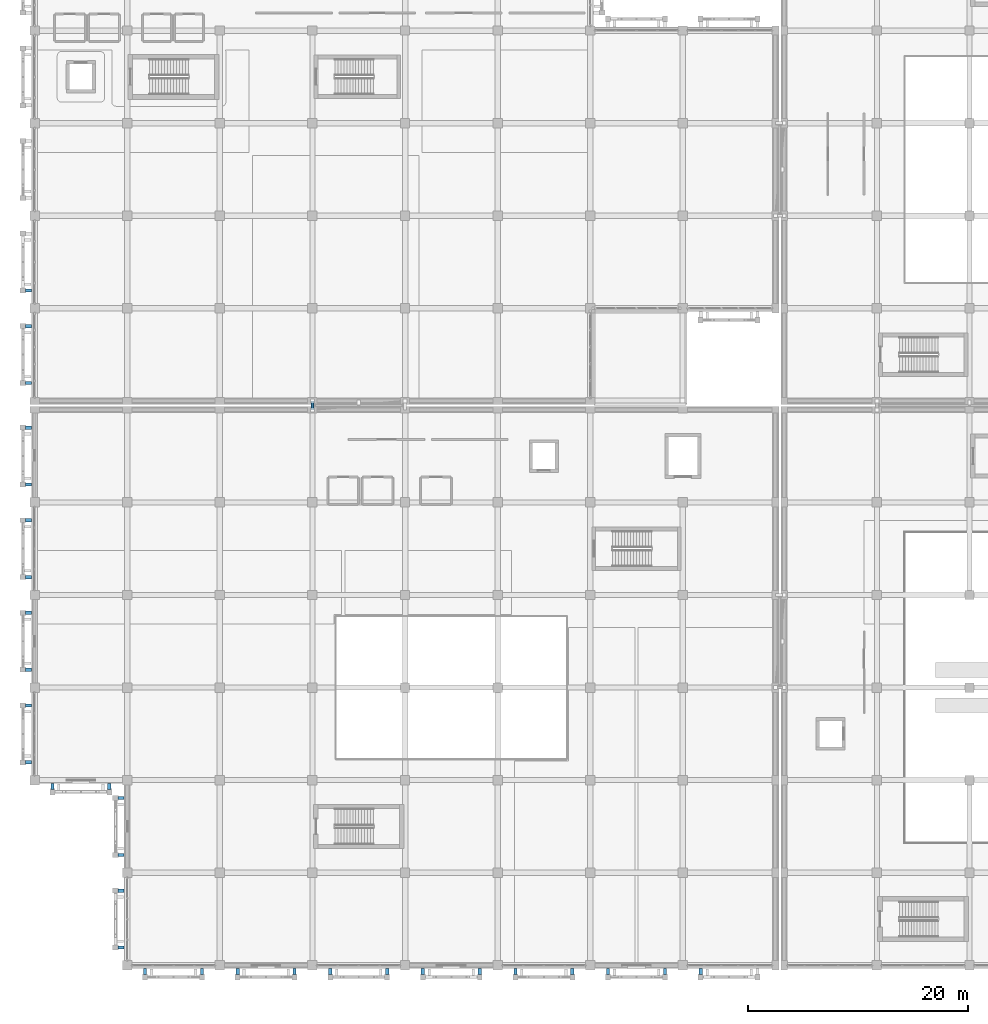
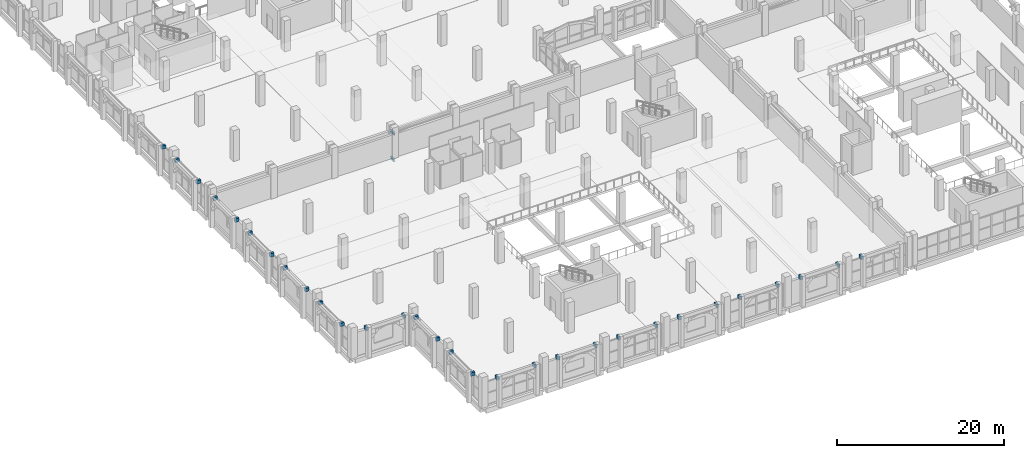
# One storey, part 75 of 137: 32 beams, 1 member.
"""IFC4 building model written with IfcOpenShell, lengths in metres."""

from ifc_helpers import new_model, si_unit, direction, frame, origin, origin_2d, place, context, subcontext, project, spatial, rectangle, hollow_rectangle, i_section, extrude, material, material_profile, profile_set, type_object, element, save


model = new_model("IFC4")

# Units and contexts
model_context = context("Model", 3, precision=1e-05, world=origin(), true_north=direction((0.0, 1.0)))
body_context = subcontext(model_context, "Body", "Model", "MODEL_VIEW")
ifc_project = project(units=[si_unit("LENGTHUNIT", "METRE"), si_unit("AREAUNIT", "SQUARE_METRE"), si_unit("VOLUMEUNIT", "CUBIC_METRE"), si_unit("PLANEANGLEUNIT", "RADIAN"), si_unit("MASSUNIT", "GRAM", prefix="KILO")], contexts=[model_context])

# Site, building, storey
site_placement = place(None, origin())
site = spatial("IfcSite", under=ifc_project, at=site_placement, CompositionType="ELEMENT")
building_placement = place(site_placement, origin())
building = spatial("IfcBuilding", under=site, at=building_placement, Name="Xazarin Passage Department Store", CompositionType="ELEMENT")
storey_placement = place(building_placement, frame((0.0, 0.0, 5.39990234375)))
storey = spatial("IfcBuildingStorey", under=building, at=storey_placement, Name="L01", CompositionType="ELEMENT", Elevation=5.39990234375)

# Beams
ifc_material_1 = material(Name="Steel S355", Category="steel")
ifc_material_profile_1 = material_profile(ifc_material_1, i_section(OverallWidth=0.300048828125, OverallDepth=0.360107421875, WebThickness=0.012451171875, FlangeThickness=0.0224609375, FilletRadius=0.027099609375, at=origin_2d()), Name="HEB 360")
ifc_profile_set_1 = profile_set([ifc_material_profile_1], Name="Steel S355")
beam_type_1 = type_object("IfcBeamType", Name="STR-BM-BR360", PredefinedType="BEAM", material=ifc_profile_set_1)
beam_1_placement = place(storey_placement, frame((25.199951171875, 50.39990234375, -0.52001953125), z_axis=(0.0, 1.0, 0.0), x_axis=(-1.0, 0.0, 0.0)))
element("IfcBeam", 1, at=beam_1_placement, inside=storey, type_object=beam_type_1, Name="L01 BR-V1-V3 Bridge Girder A", PredefinedType="BEAM", context=body_context, shape_type="SweptSolid", body=[
    extrude(i_section(OverallWidth=0.300048828125, OverallDepth=0.360107421875, WebThickness=0.012451171875, FlangeThickness=0.0224609375, FilletRadius=0.027099609375, at=origin_2d()), origin(), (0.0, 0.0, 1.0), 0.800048828125),
])
ifc_material_profile_2 = material_profile(ifc_material_1, i_section(OverallWidth=0.260009765625, OverallDepth=0.25, WebThickness=0.007568359375, FlangeThickness=0.012451171875, FilletRadius=0.02392578125, at=origin_2d()), Name="HEA 260")
ifc_profile_set_2 = profile_set([ifc_material_profile_2], Name="Steel S355")
beam_type_2 = type_object("IfcBeamType", Name="STR-BM-CAN260", PredefinedType="BEAM", material=ifc_profile_set_2)
beam_2_placement = place(storey_placement, frame((25.199951171875, 50.39990234375, 3.47509765625), z_axis=(0.0, 1.0, 0.0), x_axis=(-1.0, 0.0, 0.0)))
element("IfcBeam", 2, at=beam_2_placement, inside=storey, type_object=beam_type_2, Name="L01 BR-V1-V3 Bridge Roof Beam A", PredefinedType="BEAM", context=body_context, shape_type="SweptSolid", body=[
    extrude(i_section(OverallWidth=0.260009765625, OverallDepth=0.25, WebThickness=0.007568359375, FlangeThickness=0.012451171875, FilletRadius=0.02392578125, at=origin_2d()), origin(), (0.0, 0.0, 1.0), 0.800048828125),
])
ifc_material_2 = material(Name="Concrete C35/45", Category="concrete")
ifc_material_profile_3 = material_profile(ifc_material_2, rectangle(XDim=0.300048828125, YDim=0.5, at=origin_2d()), Name="RC 300x500")
ifc_profile_set_3 = profile_set([ifc_material_profile_3], Name="Concrete C35/45")
beam_type_3 = type_object("IfcBeamType", Name="STR-BM-LN300x500", PredefinedType="LINTEL", material=ifc_profile_set_3)
for number, where, z_axis, x_axis, name in (
    (3, (-0.280029296875, 52.820068359375, 3.9501953125), (-1.0, 0.0, 0.0), (0.0, -1.0, 0.0), "L01 V1 Colonnade Tie Rib 008L"),
    (4, (-0.280029296875, 57.97998046875, 3.9501953125), (-1.0, 0.0, 0.0), (0.0, -1.0, 0.0), "L01 V1 Colonnade Tie Rib 008R"),
    (5, (-0.280029296875, 61.219970703125, 3.9501953125), (-1.0, 0.0, 0.0), (0.0, -1.0, 0.0), "L01 V1 Colonnade Tie Rib 009L"),
    (6, (1.6201171875, 16.52001953125, 3.9501953125), (0.0, -1.0, 0.0), (1.0, 0.0, 0.0), "L01 V3 Colonnade Tie Rib 026L"),
    (7, (6.780029296875, 16.52001953125, 3.9501953125), (0.0, -1.0, 0.0), (1.0, 0.0, 0.0), "L01 V3 Colonnade Tie Rib 026R"),
    (8, (10.02001953125, -0.280029296875, 3.9501953125), (0.0, -1.0, 0.0), (1.0, 0.0, 0.0), "L01 V3 Colonnade Tie Rib 027L"),
    (9, (15.179931640625, -0.280029296875, 3.9501953125), (0.0, -1.0, 0.0), (1.0, 0.0, 0.0), "L01 V3 Colonnade Tie Rib 027R"),
    (10, (18.419921875, -0.280029296875, 3.9501953125), (0.0, -1.0, 0.0), (1.0, 0.0, 0.0), "L01 V3 Colonnade Tie Rib 028L"),
    (11, (23.580078125, -0.280029296875, 3.9501953125), (0.0, -1.0, 0.0), (1.0, 0.0, 0.0), "L01 V3 Colonnade Tie Rib 028R"),
    (12, (26.820068359375, -0.280029296875, 3.9501953125), (0.0, -1.0, 0.0), (1.0, 0.0, 0.0), "L01 V3 Colonnade Tie Rib 029L"),
    (13, (31.97998046875, -0.280029296875, 3.9501953125), (0.0, -1.0, 0.0), (1.0, 0.0, 0.0), "L01 V3 Colonnade Tie Rib 029R"),
    (14, (35.219970703125, -0.280029296875, 3.9501953125), (0.0, -1.0, 0.0), (1.0, 0.0, 0.0), "L01 V3 Colonnade Tie Rib 030L"),
    (15, (40.3798828125, -0.280029296875, 3.9501953125), (0.0, -1.0, 0.0), (1.0, 0.0, 0.0), "L01 V3 Colonnade Tie Rib 030R"),
    (16, (43.6201171875, -0.280029296875, 3.9501953125), (0.0, -1.0, 0.0), (1.0, 0.0, 0.0), "L01 V3 Colonnade Tie Rib 031L"),
    (17, (48.780029296875, -0.280029296875, 3.9501953125), (0.0, -1.0, 0.0), (1.0, 0.0, 0.0), "L01 V3 Colonnade Tie Rib 031R"),
    (18, (52.02001953125, -0.280029296875, 3.9501953125), (0.0, -1.0, 0.0), (1.0, 0.0, 0.0), "L01 V3 Colonnade Tie Rib 032L"),
    (19, (57.179931640625, -0.280029296875, 3.9501953125), (0.0, -1.0, 0.0), (1.0, 0.0, 0.0), "L01 V3 Colonnade Tie Rib 032R"),
    (20, (60.419921875, -0.280029296875, 3.9501953125), (0.0, -1.0, 0.0), (1.0, 0.0, 0.0), "L01 V3 Colonnade Tie Rib 033L"),
    (21, (-0.280029296875, 18.419921875, 3.9501953125), (-1.0, 0.0, 0.0), (0.0, -1.0, 0.0), "L01 V3 Colonnade Tie Rib 034L"),
    (22, (-0.280029296875, 23.580078125, 3.9501953125), (-1.0, 0.0, 0.0), (0.0, -1.0, 0.0), "L01 V3 Colonnade Tie Rib 034R"),
    (23, (-0.280029296875, 26.820068359375, 3.9501953125), (-1.0, 0.0, 0.0), (0.0, -1.0, 0.0), "L01 V3 Colonnade Tie Rib 035L"),
    (24, (-0.280029296875, 31.97998046875, 3.9501953125), (-1.0, 0.0, 0.0), (0.0, -1.0, 0.0), "L01 V3 Colonnade Tie Rib 035R"),
    (25, (-0.280029296875, 35.219970703125, 3.9501953125), (-1.0, 0.0, 0.0), (0.0, -1.0, 0.0), "L01 V3 Colonnade Tie Rib 036L"),
    (26, (-0.280029296875, 40.3798828125, 3.9501953125), (-1.0, 0.0, 0.0), (0.0, -1.0, 0.0), "L01 V3 Colonnade Tie Rib 036R"),
    (27, (-0.280029296875, 43.6201171875, 3.9501953125), (-1.0, 0.0, 0.0), (0.0, -1.0, 0.0), "L01 V3 Colonnade Tie Rib 037L"),
    (28, (-0.280029296875, 48.780029296875, 3.9501953125), (-1.0, 0.0, 0.0), (0.0, -1.0, 0.0), "L01 V3 Colonnade Tie Rib 037R"),
    (29, (8.1201171875, 1.6201171875, 3.9501953125), (-1.0, 0.0, 0.0), (0.0, -1.0, 0.0), "L01 V3 Colonnade Tie Rib 038L"),
    (30, (8.1201171875, 6.780029296875, 3.9501953125), (-1.0, 0.0, 0.0), (0.0, -1.0, 0.0), "L01 V3 Colonnade Tie Rib 038R"),
    (31, (8.1201171875, 10.02001953125, 3.9501953125), (-1.0, 0.0, 0.0), (0.0, -1.0, 0.0), "L01 V3 Colonnade Tie Rib 039L"),
    (32, (8.1201171875, 15.179931640625, 3.9501953125), (-1.0, 0.0, 0.0), (0.0, -1.0, 0.0), "L01 V3 Colonnade Tie Rib 039R"),
):
    element("IfcBeam", number, at=place(storey_placement, frame(where, z_axis=z_axis, x_axis=x_axis)), inside=storey, type_object=beam_type_3, Name=name, PredefinedType="LINTEL", context=body_context, shape_type="SweptSolid", body=[
        extrude(rectangle(XDim=0.300048828125, YDim=0.5, at=origin_2d()), origin(), (0.0, 0.0, 1.0), 0.550048828125),
    ])

# Member
ifc_material_profile_4 = material_profile(ifc_material_1, hollow_rectangle(XDim=0.14990234375, YDim=0.25, WallThickness=0.010009765625, at=origin_2d()), Name="RHS 250x150x10")
ifc_profile_set_4 = profile_set([ifc_material_profile_4], Name="Steel S355")
member_type = type_object("IfcMemberType", Name="STR-MEM-CH250", PredefinedType="CHORD", material=ifc_profile_set_4)
member_placement = place(storey_placement, frame((25.199951171875, 50.39990234375, 3.25), z_axis=(0.0, 1.0, 0.0), x_axis=(-1.0, 0.0, 0.0)))
element("IfcMember", 33, at=member_placement, inside=storey, type_object=member_type, Name="L01 BR-V1-V3 Bridge Chord A", PredefinedType="CHORD", context=body_context, shape_type="SweptSolid", body=[
    extrude(hollow_rectangle(XDim=0.14990234375, YDim=0.25, WallThickness=0.010009765625, at=origin_2d()), origin(), (0.0, 0.0, 1.0), 0.800048828125),
])

save(model, "model.ifc")
